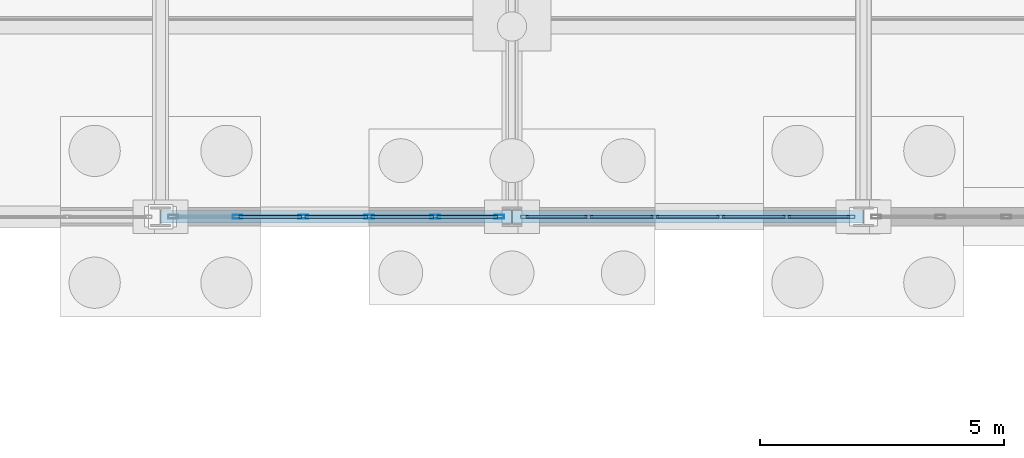
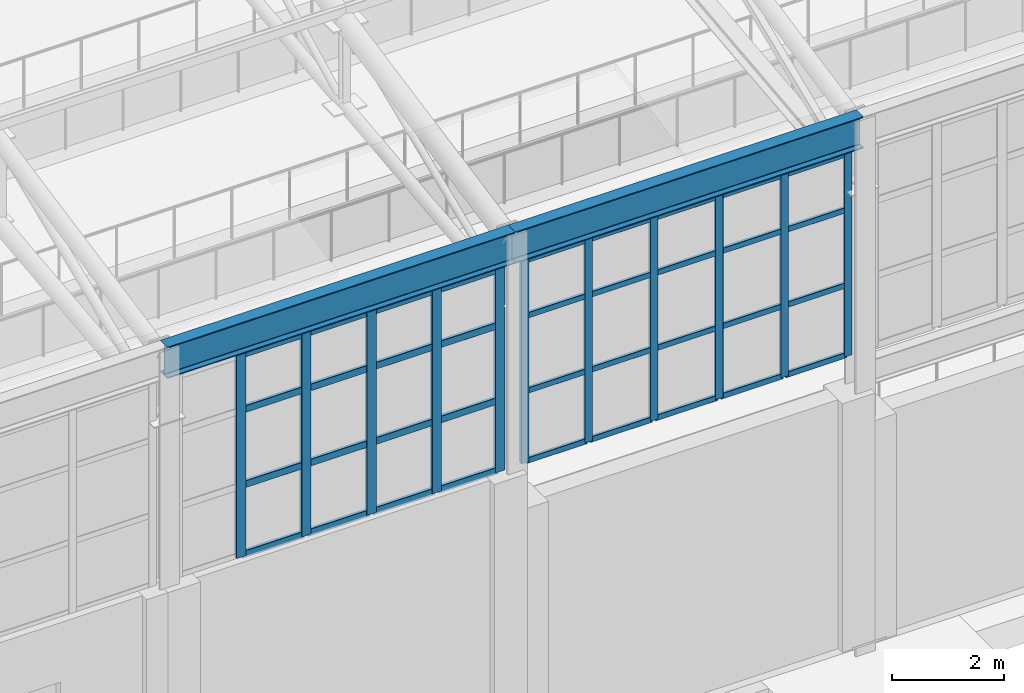
# One storey, part 132 of 293: 47 members, 2 beams, 2 elements without a shape of their own.
"""IFC4 building model written with IfcOpenShell, lengths in metres."""

from ifc_helpers import new_model, si_unit, direction, frame, origin, origin_2d, place, context, subcontext, project, spatial, hollow_rectangle, i_section, extrude, material, layer, layer_set, material_profile, profile_set, type_object, element, aggregate, save


model = new_model("IFC4")

# Units and contexts
model_context = context("Model", 3, precision=1e-05, world=origin(), true_north=direction((0.0, 1.0)))
body_context = subcontext(model_context, "Body", "Model", "MODEL_VIEW")
ifc_project = project(units=[si_unit("LENGTHUNIT", "METRE"), si_unit("AREAUNIT", "SQUARE_METRE"), si_unit("VOLUMEUNIT", "CUBIC_METRE"), si_unit("PLANEANGLEUNIT", "RADIAN"), si_unit("MASSUNIT", "GRAM", prefix="KILO")], contexts=[model_context])

# Site, building, storey
site_placement = place(None, origin())
site = spatial("IfcSite", under=ifc_project, at=site_placement, CompositionType="ELEMENT")
building_placement = place(site_placement, origin())
building = spatial("IfcBuilding", under=site, at=building_placement, Name="Kemerveld Promenade Tramway Depot", CompositionType="ELEMENT")
storey_placement = place(building_placement, origin())
storey = spatial("IfcBuildingStorey", under=building, at=storey_placement, Name="L00", CompositionType="ELEMENT", Elevation=0.0)

# Beams
ifc_material_1 = material(Name="Steel S355", Category="steel")
ifc_material_profile_1 = material_profile(ifc_material_1, i_section(OverallWidth=0.25439453125, OverallDepth=0.6875, WebThickness=0.01318359375, FlangeThickness=0.02099609375, FilletRadius=0.01513671875, at=origin_2d()), Name="686x254x152 UB")
ifc_profile_set_1 = profile_set([ifc_material_profile_1], Name="Steel S355")
beam_type = type_object("IfcBeamType", Name="BM-G03", PredefinedType="BEAM", material=ifc_profile_set_1)
for number, where, z_axis, x_axis, name in (
    (1, (93.60009765625, 84.0, 11.056396484375), (1.0, 0.0, 0.0), (0.0, 1.0, 0.0), "BM-SHED-EAVE-N-14"),
    (2, (100.800048828125, 84.0, 11.056396484375), (1.0, 0.0, 0.0), (0.0, 1.0, 0.0), "BM-SHED-EAVE-N-15"),
):
    element("IfcBeam", number, at=place(storey_placement, frame(where, z_axis=z_axis, x_axis=x_axis)), inside=storey, type_object=beam_type, Name=name, PredefinedType="BEAM", context=body_context, shape_type="SweptSolid", body=[
        extrude(i_section(OverallWidth=0.25439453125, OverallDepth=0.6875, WebThickness=0.01318359375, FlangeThickness=0.02099609375, FilletRadius=0.01513671875, at=origin_2d()), origin(), (0.0, 0.0, 1.0), 7.199951171875),
    ])

# Curtain wall, members
ifc_material_2 = material(Name="Bronze anodised aluminium and solar glass", Category="aluminium")
ifc_layer_1 = layer(ifc_material_2, 0.159912109375)
ifc_layer_set_1 = layer_set([ifc_layer_1], Name="CW-SYS-13")
curtain_wall_type_1 = type_object("IfcCurtainWallType", Name="CW-SYS-13", PredefinedType="USERDEFINED", material=ifc_layer_set_1)
curtain_wall_1_placement = place(storey_placement, origin())
curtain_wall_1 = element("IfcCurtainWall", 3, at=curtain_wall_1_placement, inside=storey, type_object=curtain_wall_type_1, Name="CW-V1-S-10", ObjectType="GLAZED_CURTAIN_WALL", PredefinedType="USERDEFINED")
ifc_material_3 = material(Name="Bronze anodised aluminium", Category="aluminium")
ifc_material_profile_2 = material_profile(ifc_material_3, hollow_rectangle(XDim=0.06494140625, YDim=0.159912109375, WallThickness=0.00390625, InnerFilletRadius=0.001953125, OuterFilletRadius=0.00390625, at=origin_2d()), Name="CW-MUL-160x65")
ifc_profile_set_2 = profile_set([ifc_material_profile_2], Name="Bronze anodised aluminium")
member_type_1 = type_object("IfcMemberType", Name="CW-MUL-A", PredefinedType="MULLION", material=ifc_profile_set_2)
member_1_placement = place(storey_placement, frame((107.744384765625, 84.0, 6.199951171875), z_axis=(0.0, 0.0, 1.0), x_axis=(0.0, -1.0, 0.0)))
member_1 = element("IfcMember", 4, at=member_1_placement, type_object=member_type_1, Name="CW13 mullion 1", PredefinedType="MULLION", context=body_context, shape_type="SweptSolid", body=[
    extrude(hollow_rectangle(XDim=0.06494140625, YDim=0.159912109375, WallThickness=0.00390625, InnerFilletRadius=0.001953125, OuterFilletRadius=0.00390625, at=origin_2d()), origin(), (0.0, 0.0, 1.0), 4.449951171875),
])
member_2_placement = place(storey_placement, frame((106.426025390625, 84.0, 6.199951171875), z_axis=(0.0, 0.0, 1.0), x_axis=(0.0, -1.0, 0.0)))
member_2 = element("IfcMember", 5, at=member_2_placement, type_object=member_type_1, Name="CW13 mullion 2", PredefinedType="MULLION", context=body_context, shape_type="SweptSolid", body=[
    extrude(hollow_rectangle(XDim=0.06494140625, YDim=0.159912109375, WallThickness=0.00390625, InnerFilletRadius=0.001953125, OuterFilletRadius=0.00390625, at=origin_2d()), origin(), (0.0, 0.0, 1.0), 4.449951171875),
])
member_3_placement = place(storey_placement, frame((105.075439453125, 84.0, 6.199951171875), z_axis=(0.0, 0.0, 1.0), x_axis=(0.0, -1.0, 0.0)))
member_3 = element("IfcMember", 6, at=member_3_placement, type_object=member_type_1, Name="CW13 mullion 3", PredefinedType="MULLION", context=body_context, shape_type="SweptSolid", body=[
    extrude(hollow_rectangle(XDim=0.06494140625, YDim=0.159912109375, WallThickness=0.00390625, InnerFilletRadius=0.001953125, OuterFilletRadius=0.00390625, at=origin_2d()), origin(), (0.0, 0.0, 1.0), 4.449951171875),
])
member_4_placement = place(storey_placement, frame((103.724609375, 84.0, 6.199951171875), z_axis=(0.0, 0.0, 1.0), x_axis=(0.0, -1.0, 0.0)))
member_4 = element("IfcMember", 7, at=member_4_placement, type_object=member_type_1, Name="CW13 mullion 4", PredefinedType="MULLION", context=body_context, shape_type="SweptSolid", body=[
    extrude(hollow_rectangle(XDim=0.06494140625, YDim=0.159912109375, WallThickness=0.00390625, InnerFilletRadius=0.001953125, OuterFilletRadius=0.00390625, at=origin_2d()), origin(), (0.0, 0.0, 1.0), 4.449951171875),
])
member_5_placement = place(storey_placement, frame((102.3740234375, 84.0, 6.199951171875), z_axis=(0.0, 0.0, 1.0), x_axis=(0.0, -1.0, 0.0)))
member_5 = element("IfcMember", 8, at=member_5_placement, type_object=member_type_1, Name="CW13 mullion 5", PredefinedType="MULLION", context=body_context, shape_type="SweptSolid", body=[
    extrude(hollow_rectangle(XDim=0.06494140625, YDim=0.159912109375, WallThickness=0.00390625, InnerFilletRadius=0.001953125, OuterFilletRadius=0.00390625, at=origin_2d()), origin(), (0.0, 0.0, 1.0), 4.449951171875),
])
member_6_placement = place(storey_placement, frame((101.0556640625, 84.0, 6.199951171875), z_axis=(0.0, 0.0, 1.0), x_axis=(0.0, -1.0, 0.0)))
member_6 = element("IfcMember", 9, at=member_6_placement, type_object=member_type_1, Name="CW13 mullion 6", PredefinedType="MULLION", context=body_context, shape_type="SweptSolid", body=[
    extrude(hollow_rectangle(XDim=0.06494140625, YDim=0.159912109375, WallThickness=0.00390625, InnerFilletRadius=0.001953125, OuterFilletRadius=0.00390625, at=origin_2d()), origin(), (0.0, 0.0, 1.0), 4.449951171875),
])

ifc_layer_2 = layer(ifc_material_2, 0.199951171875)
ifc_layer_set_2 = layer_set([ifc_layer_2], Name="CW-SYS-12")
curtain_wall_type_2 = type_object("IfcCurtainWallType", Name="CW-SYS-12", PredefinedType="USERDEFINED", material=ifc_layer_set_2)
curtain_wall_2_placement = place(storey_placement, origin())
curtain_wall_2 = element("IfcCurtainWall", 10, at=curtain_wall_2_placement, inside=storey, type_object=curtain_wall_type_2, Name="CW-V1-S-09", ObjectType="GLAZED_CURTAIN_WALL", PredefinedType="USERDEFINED")
ifc_material_profile_3 = material_profile(ifc_material_3, hollow_rectangle(XDim=0.074951171875, YDim=0.199951171875, WallThickness=0.0048828125, InnerFilletRadius=0.001953125, OuterFilletRadius=0.0048828125, at=origin_2d()), Name="CW-MUL-200x75")
ifc_profile_set_3 = profile_set([ifc_material_profile_3], Name="Bronze anodised aluminium")
member_type_2 = type_object("IfcMemberType", Name="CW-MUL-B", PredefinedType="MULLION", material=ifc_profile_set_3)
member_7_placement = place(storey_placement, frame((100.539306640625, 84.0, 6.199951171875), z_axis=(0.0, 0.0, 1.0), x_axis=(0.0, -1.0, 0.0)))
member_7 = element("IfcMember", 11, at=member_7_placement, type_object=member_type_2, Name="CW12 mullion 1", PredefinedType="MULLION", context=body_context, shape_type="SweptSolid", body=[
    extrude(hollow_rectangle(XDim=0.074951171875, YDim=0.199951171875, WallThickness=0.0048828125, InnerFilletRadius=0.001953125, OuterFilletRadius=0.0048828125, at=origin_2d()), origin(), (0.0, 0.0, 1.0), 4.449951171875),
])
member_8_placement = place(storey_placement, frame((99.22607421875, 84.0, 6.199951171875), z_axis=(0.0, 0.0, 1.0), x_axis=(0.0, -1.0, 0.0)))
member_8 = element("IfcMember", 12, at=member_8_placement, type_object=member_type_2, Name="CW12 mullion 2", PredefinedType="MULLION", context=body_context, shape_type="SweptSolid", body=[
    extrude(hollow_rectangle(XDim=0.074951171875, YDim=0.199951171875, WallThickness=0.0048828125, InnerFilletRadius=0.001953125, OuterFilletRadius=0.0048828125, at=origin_2d()), origin(), (0.0, 0.0, 1.0), 4.449951171875),
])
member_9_placement = place(storey_placement, frame((97.875244140625, 84.0, 6.199951171875), z_axis=(0.0, 0.0, 1.0), x_axis=(0.0, -1.0, 0.0)))
member_9 = element("IfcMember", 13, at=member_9_placement, type_object=member_type_2, Name="CW12 mullion 3", PredefinedType="MULLION", context=body_context, shape_type="SweptSolid", body=[
    extrude(hollow_rectangle(XDim=0.074951171875, YDim=0.199951171875, WallThickness=0.0048828125, InnerFilletRadius=0.001953125, OuterFilletRadius=0.0048828125, at=origin_2d()), origin(), (0.0, 0.0, 1.0), 4.449951171875),
])
member_10_placement = place(storey_placement, frame((96.524658203125, 84.0, 6.199951171875), z_axis=(0.0, 0.0, 1.0), x_axis=(0.0, -1.0, 0.0)))
member_10 = element("IfcMember", 14, at=member_10_placement, type_object=member_type_2, Name="CW12 mullion 4", PredefinedType="MULLION", context=body_context, shape_type="SweptSolid", body=[
    extrude(hollow_rectangle(XDim=0.074951171875, YDim=0.199951171875, WallThickness=0.0048828125, InnerFilletRadius=0.001953125, OuterFilletRadius=0.0048828125, at=origin_2d()), origin(), (0.0, 0.0, 1.0), 4.449951171875),
])
member_11_placement = place(storey_placement, frame((95.173828125, 84.0, 6.199951171875), z_axis=(0.0, 0.0, 1.0), x_axis=(0.0, -1.0, 0.0)))
member_11 = element("IfcMember", 15, at=member_11_placement, type_object=member_type_2, Name="CW12 mullion 5", PredefinedType="MULLION", context=body_context, shape_type="SweptSolid", body=[
    extrude(hollow_rectangle(XDim=0.074951171875, YDim=0.199951171875, WallThickness=0.0048828125, InnerFilletRadius=0.001953125, OuterFilletRadius=0.0048828125, at=origin_2d()), origin(), (0.0, 0.0, 1.0), 4.449951171875),
])

# Member
ifc_material_profile_4 = material_profile(ifc_material_3, hollow_rectangle(XDim=0.06005859375, YDim=0.1201171875, WallThickness=0.00390625, InnerFilletRadius=0.001953125, OuterFilletRadius=0.00390625, at=origin_2d()), Name="CW-TRN-120x60")
ifc_profile_set_4 = profile_set([ifc_material_profile_4], Name="Bronze anodised aluminium")
member_type_3 = type_object("IfcMemberType", Name="CW-TRN-A", PredefinedType="USERDEFINED", material=ifc_profile_set_4)
member_12_placement = place(storey_placement, frame((107.7119140625, 84.0, 6.22998046875), z_axis=(-1.0, 0.0, 0.0), x_axis=(0.0, -1.0, 0.0)))
member_12 = element("IfcMember", 16, at=member_12_placement, type_object=member_type_3, Name="CW13 transom 1.1", ObjectType="TRANSOM", PredefinedType="USERDEFINED", context=body_context, shape_type="SweptSolid", body=[
    extrude(hollow_rectangle(XDim=0.06005859375, YDim=0.1201171875, WallThickness=0.00390625, InnerFilletRadius=0.001953125, OuterFilletRadius=0.00390625, at=origin_2d()), origin(), (0.0, 0.0, 1.0), 1.25341796875),
])

member_13_placement = place(storey_placement, frame((107.7119140625, 84.0, 7.758056640625), z_axis=(-1.0, 0.0, 0.0), x_axis=(0.0, -1.0, 0.0)))
member_13 = element("IfcMember", 17, at=member_13_placement, type_object=member_type_3, Name="CW13 transom 1.2", ObjectType="TRANSOM", PredefinedType="USERDEFINED", context=body_context, shape_type="SweptSolid", body=[
    extrude(hollow_rectangle(XDim=0.06005859375, YDim=0.1201171875, WallThickness=0.00390625, InnerFilletRadius=0.001953125, OuterFilletRadius=0.00390625, at=origin_2d()), origin(), (0.0, 0.0, 1.0), 1.25341796875),
])

member_14_placement = place(storey_placement, frame((107.7119140625, 84.0, 9.404052734375), z_axis=(-1.0, 0.0, 0.0), x_axis=(0.0, -1.0, 0.0)))
member_14 = element("IfcMember", 18, at=member_14_placement, type_object=member_type_3, Name="CW13 transom 1.3", ObjectType="TRANSOM", PredefinedType="USERDEFINED", context=body_context, shape_type="SweptSolid", body=[
    extrude(hollow_rectangle(XDim=0.06005859375, YDim=0.1201171875, WallThickness=0.00390625, InnerFilletRadius=0.001953125, OuterFilletRadius=0.00390625, at=origin_2d()), origin(), (0.0, 0.0, 1.0), 1.25341796875),
])

member_15_placement = place(storey_placement, frame((107.7119140625, 84.0, 10.6201171875), z_axis=(-1.0, 0.0, 0.0), x_axis=(0.0, -1.0, 0.0)))
member_15 = element("IfcMember", 19, at=member_15_placement, type_object=member_type_3, Name="CW13 transom 1.4", ObjectType="TRANSOM", PredefinedType="USERDEFINED", context=body_context, shape_type="SweptSolid", body=[
    extrude(hollow_rectangle(XDim=0.06005859375, YDim=0.1201171875, WallThickness=0.00390625, InnerFilletRadius=0.001953125, OuterFilletRadius=0.00390625, at=origin_2d()), origin(), (0.0, 0.0, 1.0), 1.25341796875),
])

member_16_placement = place(storey_placement, frame((106.3935546875, 84.0, 6.22998046875), z_axis=(-1.0, 0.0, 0.0), x_axis=(0.0, -1.0, 0.0)))
member_16 = element("IfcMember", 20, at=member_16_placement, type_object=member_type_3, Name="CW13 transom 2.1", ObjectType="TRANSOM", PredefinedType="USERDEFINED", context=body_context, shape_type="SweptSolid", body=[
    extrude(hollow_rectangle(XDim=0.06005859375, YDim=0.1201171875, WallThickness=0.00390625, InnerFilletRadius=0.001953125, OuterFilletRadius=0.00390625, at=origin_2d()), origin(), (0.0, 0.0, 1.0), 1.28564453125),
])

member_17_placement = place(storey_placement, frame((106.3935546875, 84.0, 7.758056640625), z_axis=(-1.0, 0.0, 0.0), x_axis=(0.0, -1.0, 0.0)))
member_17 = element("IfcMember", 21, at=member_17_placement, type_object=member_type_3, Name="CW13 transom 2.2", ObjectType="TRANSOM", PredefinedType="USERDEFINED", context=body_context, shape_type="SweptSolid", body=[
    extrude(hollow_rectangle(XDim=0.06005859375, YDim=0.1201171875, WallThickness=0.00390625, InnerFilletRadius=0.001953125, OuterFilletRadius=0.00390625, at=origin_2d()), origin(), (0.0, 0.0, 1.0), 1.28564453125),
])

member_18_placement = place(storey_placement, frame((106.3935546875, 84.0, 9.404052734375), z_axis=(-1.0, 0.0, 0.0), x_axis=(0.0, -1.0, 0.0)))
member_18 = element("IfcMember", 22, at=member_18_placement, type_object=member_type_3, Name="CW13 transom 2.3", ObjectType="TRANSOM", PredefinedType="USERDEFINED", context=body_context, shape_type="SweptSolid", body=[
    extrude(hollow_rectangle(XDim=0.06005859375, YDim=0.1201171875, WallThickness=0.00390625, InnerFilletRadius=0.001953125, OuterFilletRadius=0.00390625, at=origin_2d()), origin(), (0.0, 0.0, 1.0), 1.28564453125),
])

member_19_placement = place(storey_placement, frame((106.3935546875, 84.0, 10.6201171875), z_axis=(-1.0, 0.0, 0.0), x_axis=(0.0, -1.0, 0.0)))
member_19 = element("IfcMember", 23, at=member_19_placement, type_object=member_type_3, Name="CW13 transom 2.4", ObjectType="TRANSOM", PredefinedType="USERDEFINED", context=body_context, shape_type="SweptSolid", body=[
    extrude(hollow_rectangle(XDim=0.06005859375, YDim=0.1201171875, WallThickness=0.00390625, InnerFilletRadius=0.001953125, OuterFilletRadius=0.00390625, at=origin_2d()), origin(), (0.0, 0.0, 1.0), 1.28564453125),
])

member_20_placement = place(storey_placement, frame((105.04296875, 84.0, 6.22998046875), z_axis=(-1.0, 0.0, 0.0), x_axis=(0.0, -1.0, 0.0)))
member_20 = element("IfcMember", 24, at=member_20_placement, type_object=member_type_3, Name="CW13 transom 3.1", ObjectType="TRANSOM", PredefinedType="USERDEFINED", context=body_context, shape_type="SweptSolid", body=[
    extrude(hollow_rectangle(XDim=0.06005859375, YDim=0.1201171875, WallThickness=0.00390625, InnerFilletRadius=0.001953125, OuterFilletRadius=0.00390625, at=origin_2d()), origin(), (0.0, 0.0, 1.0), 1.285888671875),
])

member_21_placement = place(storey_placement, frame((105.04296875, 84.0, 7.758056640625), z_axis=(-1.0, 0.0, 0.0), x_axis=(0.0, -1.0, 0.0)))
member_21 = element("IfcMember", 25, at=member_21_placement, type_object=member_type_3, Name="CW13 transom 3.2", ObjectType="TRANSOM", PredefinedType="USERDEFINED", context=body_context, shape_type="SweptSolid", body=[
    extrude(hollow_rectangle(XDim=0.06005859375, YDim=0.1201171875, WallThickness=0.00390625, InnerFilletRadius=0.001953125, OuterFilletRadius=0.00390625, at=origin_2d()), origin(), (0.0, 0.0, 1.0), 1.285888671875),
])

member_22_placement = place(storey_placement, frame((105.04296875, 84.0, 9.404052734375), z_axis=(-1.0, 0.0, 0.0), x_axis=(0.0, -1.0, 0.0)))
member_22 = element("IfcMember", 26, at=member_22_placement, type_object=member_type_3, Name="CW13 transom 3.3", ObjectType="TRANSOM", PredefinedType="USERDEFINED", context=body_context, shape_type="SweptSolid", body=[
    extrude(hollow_rectangle(XDim=0.06005859375, YDim=0.1201171875, WallThickness=0.00390625, InnerFilletRadius=0.001953125, OuterFilletRadius=0.00390625, at=origin_2d()), origin(), (0.0, 0.0, 1.0), 1.285888671875),
])

member_23_placement = place(storey_placement, frame((105.04296875, 84.0, 10.6201171875), z_axis=(-1.0, 0.0, 0.0), x_axis=(0.0, -1.0, 0.0)))
member_23 = element("IfcMember", 27, at=member_23_placement, type_object=member_type_3, Name="CW13 transom 3.4", ObjectType="TRANSOM", PredefinedType="USERDEFINED", context=body_context, shape_type="SweptSolid", body=[
    extrude(hollow_rectangle(XDim=0.06005859375, YDim=0.1201171875, WallThickness=0.00390625, InnerFilletRadius=0.001953125, OuterFilletRadius=0.00390625, at=origin_2d()), origin(), (0.0, 0.0, 1.0), 1.285888671875),
])

member_24_placement = place(storey_placement, frame((103.692138671875, 84.0, 6.22998046875), z_axis=(-1.0, 0.0, 0.0), x_axis=(0.0, -1.0, 0.0)))
member_24 = element("IfcMember", 28, at=member_24_placement, type_object=member_type_3, Name="CW13 transom 4.1", ObjectType="TRANSOM", PredefinedType="USERDEFINED", context=body_context, shape_type="SweptSolid", body=[
    extrude(hollow_rectangle(XDim=0.06005859375, YDim=0.1201171875, WallThickness=0.00390625, InnerFilletRadius=0.001953125, OuterFilletRadius=0.00390625, at=origin_2d()), origin(), (0.0, 0.0, 1.0), 1.28564453125),
])

member_25_placement = place(storey_placement, frame((103.692138671875, 84.0, 7.758056640625), z_axis=(-1.0, 0.0, 0.0), x_axis=(0.0, -1.0, 0.0)))
member_25 = element("IfcMember", 29, at=member_25_placement, type_object=member_type_3, Name="CW13 transom 4.2", ObjectType="TRANSOM", PredefinedType="USERDEFINED", context=body_context, shape_type="SweptSolid", body=[
    extrude(hollow_rectangle(XDim=0.06005859375, YDim=0.1201171875, WallThickness=0.00390625, InnerFilletRadius=0.001953125, OuterFilletRadius=0.00390625, at=origin_2d()), origin(), (0.0, 0.0, 1.0), 1.28564453125),
])

member_26_placement = place(storey_placement, frame((103.692138671875, 84.0, 9.404052734375), z_axis=(-1.0, 0.0, 0.0), x_axis=(0.0, -1.0, 0.0)))
member_26 = element("IfcMember", 30, at=member_26_placement, type_object=member_type_3, Name="CW13 transom 4.3", ObjectType="TRANSOM", PredefinedType="USERDEFINED", context=body_context, shape_type="SweptSolid", body=[
    extrude(hollow_rectangle(XDim=0.06005859375, YDim=0.1201171875, WallThickness=0.00390625, InnerFilletRadius=0.001953125, OuterFilletRadius=0.00390625, at=origin_2d()), origin(), (0.0, 0.0, 1.0), 1.28564453125),
])

member_27_placement = place(storey_placement, frame((103.692138671875, 84.0, 10.6201171875), z_axis=(-1.0, 0.0, 0.0), x_axis=(0.0, -1.0, 0.0)))
member_27 = element("IfcMember", 31, at=member_27_placement, type_object=member_type_3, Name="CW13 transom 4.4", ObjectType="TRANSOM", PredefinedType="USERDEFINED", context=body_context, shape_type="SweptSolid", body=[
    extrude(hollow_rectangle(XDim=0.06005859375, YDim=0.1201171875, WallThickness=0.00390625, InnerFilletRadius=0.001953125, OuterFilletRadius=0.00390625, at=origin_2d()), origin(), (0.0, 0.0, 1.0), 1.28564453125),
])

member_28_placement = place(storey_placement, frame((102.34130859375, 84.0, 6.22998046875), z_axis=(-1.0, 0.0, 0.0), x_axis=(0.0, -1.0, 0.0)))
member_28 = element("IfcMember", 32, at=member_28_placement, type_object=member_type_3, Name="CW13 transom 5.1", ObjectType="TRANSOM", PredefinedType="USERDEFINED", context=body_context, shape_type="SweptSolid", body=[
    extrude(hollow_rectangle(XDim=0.06005859375, YDim=0.1201171875, WallThickness=0.00390625, InnerFilletRadius=0.001953125, OuterFilletRadius=0.00390625, at=origin_2d()), origin(), (0.0, 0.0, 1.0), 1.253173828125),
])

member_29_placement = place(storey_placement, frame((102.34130859375, 84.0, 7.758056640625), z_axis=(-1.0, 0.0, 0.0), x_axis=(0.0, -1.0, 0.0)))
member_29 = element("IfcMember", 33, at=member_29_placement, type_object=member_type_3, Name="CW13 transom 5.2", ObjectType="TRANSOM", PredefinedType="USERDEFINED", context=body_context, shape_type="SweptSolid", body=[
    extrude(hollow_rectangle(XDim=0.06005859375, YDim=0.1201171875, WallThickness=0.00390625, InnerFilletRadius=0.001953125, OuterFilletRadius=0.00390625, at=origin_2d()), origin(), (0.0, 0.0, 1.0), 1.253173828125),
])

member_30_placement = place(storey_placement, frame((102.34130859375, 84.0, 9.404052734375), z_axis=(-1.0, 0.0, 0.0), x_axis=(0.0, -1.0, 0.0)))
member_30 = element("IfcMember", 34, at=member_30_placement, type_object=member_type_3, Name="CW13 transom 5.3", ObjectType="TRANSOM", PredefinedType="USERDEFINED", context=body_context, shape_type="SweptSolid", body=[
    extrude(hollow_rectangle(XDim=0.06005859375, YDim=0.1201171875, WallThickness=0.00390625, InnerFilletRadius=0.001953125, OuterFilletRadius=0.00390625, at=origin_2d()), origin(), (0.0, 0.0, 1.0), 1.253173828125),
])

member_31_placement = place(storey_placement, frame((102.34130859375, 84.0, 10.6201171875), z_axis=(-1.0, 0.0, 0.0), x_axis=(0.0, -1.0, 0.0)))
member_31 = element("IfcMember", 35, at=member_31_placement, type_object=member_type_3, Name="CW13 transom 5.4", ObjectType="TRANSOM", PredefinedType="USERDEFINED", context=body_context, shape_type="SweptSolid", body=[
    extrude(hollow_rectangle(XDim=0.06005859375, YDim=0.1201171875, WallThickness=0.00390625, InnerFilletRadius=0.001953125, OuterFilletRadius=0.00390625, at=origin_2d()), origin(), (0.0, 0.0, 1.0), 1.253173828125),
])

aggregate(curtain_wall_1, [member_1, member_2, member_3, member_4, member_5, member_6, member_12, member_13, member_14, member_15, member_16, member_17, member_18, member_19, member_20, member_21, member_22, member_23, member_24, member_25, member_26, member_27, member_28, member_29, member_30, member_31])

ifc_material_profile_5 = material_profile(ifc_material_3, hollow_rectangle(XDim=0.06494140625, YDim=0.14990234375, WallThickness=0.00439453125, InnerFilletRadius=0.001953125, OuterFilletRadius=0.00439453125, at=origin_2d()), Name="CW-TRN-150x65")
ifc_profile_set_5 = profile_set([ifc_material_profile_5], Name="Bronze anodised aluminium")
member_type_4 = type_object("IfcMemberType", Name="CW-TRN-B", PredefinedType="USERDEFINED", material=ifc_profile_set_5)
member_32_placement = place(storey_placement, frame((100.501708984375, 84.0, 6.232421875), z_axis=(-1.0, 0.0, 0.0), x_axis=(0.0, -1.0, 0.0)))
member_32 = element("IfcMember", 36, at=member_32_placement, type_object=member_type_4, Name="CW12 transom 1.1", ObjectType="TRANSOM", PredefinedType="USERDEFINED", context=body_context, shape_type="SweptSolid", body=[
    extrude(hollow_rectangle(XDim=0.06494140625, YDim=0.14990234375, WallThickness=0.00439453125, InnerFilletRadius=0.001953125, OuterFilletRadius=0.00439453125, at=origin_2d()), origin(), (0.0, 0.0, 1.0), 1.238037109375),
])

member_33_placement = place(storey_placement, frame((100.501708984375, 84.0, 7.758056640625), z_axis=(-1.0, 0.0, 0.0), x_axis=(0.0, -1.0, 0.0)))
member_33 = element("IfcMember", 37, at=member_33_placement, type_object=member_type_4, Name="CW12 transom 1.2", ObjectType="TRANSOM", PredefinedType="USERDEFINED", context=body_context, shape_type="SweptSolid", body=[
    extrude(hollow_rectangle(XDim=0.06494140625, YDim=0.14990234375, WallThickness=0.00439453125, InnerFilletRadius=0.001953125, OuterFilletRadius=0.00439453125, at=origin_2d()), origin(), (0.0, 0.0, 1.0), 1.238037109375),
])

member_34_placement = place(storey_placement, frame((100.501708984375, 84.0, 9.404052734375), z_axis=(-1.0, 0.0, 0.0), x_axis=(0.0, -1.0, 0.0)))
member_34 = element("IfcMember", 38, at=member_34_placement, type_object=member_type_4, Name="CW12 transom 1.3", ObjectType="TRANSOM", PredefinedType="USERDEFINED", context=body_context, shape_type="SweptSolid", body=[
    extrude(hollow_rectangle(XDim=0.06494140625, YDim=0.14990234375, WallThickness=0.00439453125, InnerFilletRadius=0.001953125, OuterFilletRadius=0.00439453125, at=origin_2d()), origin(), (0.0, 0.0, 1.0), 1.238037109375),
])

member_35_placement = place(storey_placement, frame((100.501708984375, 84.0, 10.617431640625), z_axis=(-1.0, 0.0, 0.0), x_axis=(0.0, -1.0, 0.0)))
member_35 = element("IfcMember", 39, at=member_35_placement, type_object=member_type_4, Name="CW12 transom 1.4", ObjectType="TRANSOM", PredefinedType="USERDEFINED", context=body_context, shape_type="SweptSolid", body=[
    extrude(hollow_rectangle(XDim=0.06494140625, YDim=0.14990234375, WallThickness=0.00439453125, InnerFilletRadius=0.001953125, OuterFilletRadius=0.00439453125, at=origin_2d()), origin(), (0.0, 0.0, 1.0), 1.238037109375),
])

member_36_placement = place(storey_placement, frame((99.1884765625, 84.0, 6.232421875), z_axis=(-1.0, 0.0, 0.0), x_axis=(0.0, -1.0, 0.0)))
member_36 = element("IfcMember", 40, at=member_36_placement, type_object=member_type_4, Name="CW12 transom 2.1", ObjectType="TRANSOM", PredefinedType="USERDEFINED", context=body_context, shape_type="SweptSolid", body=[
    extrude(hollow_rectangle(XDim=0.06494140625, YDim=0.14990234375, WallThickness=0.00439453125, InnerFilletRadius=0.001953125, OuterFilletRadius=0.00439453125, at=origin_2d()), origin(), (0.0, 0.0, 1.0), 1.275634765625),
])

member_37_placement = place(storey_placement, frame((99.1884765625, 84.0, 7.758056640625), z_axis=(-1.0, 0.0, 0.0), x_axis=(0.0, -1.0, 0.0)))
member_37 = element("IfcMember", 41, at=member_37_placement, type_object=member_type_4, Name="CW12 transom 2.2", ObjectType="TRANSOM", PredefinedType="USERDEFINED", context=body_context, shape_type="SweptSolid", body=[
    extrude(hollow_rectangle(XDim=0.06494140625, YDim=0.14990234375, WallThickness=0.00439453125, InnerFilletRadius=0.001953125, OuterFilletRadius=0.00439453125, at=origin_2d()), origin(), (0.0, 0.0, 1.0), 1.275634765625),
])

member_38_placement = place(storey_placement, frame((99.1884765625, 84.0, 9.404052734375), z_axis=(-1.0, 0.0, 0.0), x_axis=(0.0, -1.0, 0.0)))
member_38 = element("IfcMember", 42, at=member_38_placement, type_object=member_type_4, Name="CW12 transom 2.3", ObjectType="TRANSOM", PredefinedType="USERDEFINED", context=body_context, shape_type="SweptSolid", body=[
    extrude(hollow_rectangle(XDim=0.06494140625, YDim=0.14990234375, WallThickness=0.00439453125, InnerFilletRadius=0.001953125, OuterFilletRadius=0.00439453125, at=origin_2d()), origin(), (0.0, 0.0, 1.0), 1.275634765625),
])

member_39_placement = place(storey_placement, frame((99.1884765625, 84.0, 10.617431640625), z_axis=(-1.0, 0.0, 0.0), x_axis=(0.0, -1.0, 0.0)))
member_39 = element("IfcMember", 43, at=member_39_placement, type_object=member_type_4, Name="CW12 transom 2.4", ObjectType="TRANSOM", PredefinedType="USERDEFINED", context=body_context, shape_type="SweptSolid", body=[
    extrude(hollow_rectangle(XDim=0.06494140625, YDim=0.14990234375, WallThickness=0.00439453125, InnerFilletRadius=0.001953125, OuterFilletRadius=0.00439453125, at=origin_2d()), origin(), (0.0, 0.0, 1.0), 1.275634765625),
])

member_40_placement = place(storey_placement, frame((97.837890625, 84.0, 6.232421875), z_axis=(-1.0, 0.0, 0.0), x_axis=(0.0, -1.0, 0.0)))
member_40 = element("IfcMember", 44, at=member_40_placement, type_object=member_type_4, Name="CW12 transom 3.1", ObjectType="TRANSOM", PredefinedType="USERDEFINED", context=body_context, shape_type="SweptSolid", body=[
    extrude(hollow_rectangle(XDim=0.06494140625, YDim=0.14990234375, WallThickness=0.00439453125, InnerFilletRadius=0.001953125, OuterFilletRadius=0.00439453125, at=origin_2d()), origin(), (0.0, 0.0, 1.0), 1.275634765625),
])

member_41_placement = place(storey_placement, frame((97.837890625, 84.0, 7.758056640625), z_axis=(-1.0, 0.0, 0.0), x_axis=(0.0, -1.0, 0.0)))
member_41 = element("IfcMember", 45, at=member_41_placement, type_object=member_type_4, Name="CW12 transom 3.2", ObjectType="TRANSOM", PredefinedType="USERDEFINED", context=body_context, shape_type="SweptSolid", body=[
    extrude(hollow_rectangle(XDim=0.06494140625, YDim=0.14990234375, WallThickness=0.00439453125, InnerFilletRadius=0.001953125, OuterFilletRadius=0.00439453125, at=origin_2d()), origin(), (0.0, 0.0, 1.0), 1.275634765625),
])

member_42_placement = place(storey_placement, frame((97.837890625, 84.0, 9.404052734375), z_axis=(-1.0, 0.0, 0.0), x_axis=(0.0, -1.0, 0.0)))
member_42 = element("IfcMember", 46, at=member_42_placement, type_object=member_type_4, Name="CW12 transom 3.3", ObjectType="TRANSOM", PredefinedType="USERDEFINED", context=body_context, shape_type="SweptSolid", body=[
    extrude(hollow_rectangle(XDim=0.06494140625, YDim=0.14990234375, WallThickness=0.00439453125, InnerFilletRadius=0.001953125, OuterFilletRadius=0.00439453125, at=origin_2d()), origin(), (0.0, 0.0, 1.0), 1.275634765625),
])

member_43_placement = place(storey_placement, frame((97.837890625, 84.0, 10.617431640625), z_axis=(-1.0, 0.0, 0.0), x_axis=(0.0, -1.0, 0.0)))
member_43 = element("IfcMember", 47, at=member_43_placement, type_object=member_type_4, Name="CW12 transom 3.4", ObjectType="TRANSOM", PredefinedType="USERDEFINED", context=body_context, shape_type="SweptSolid", body=[
    extrude(hollow_rectangle(XDim=0.06494140625, YDim=0.14990234375, WallThickness=0.00439453125, InnerFilletRadius=0.001953125, OuterFilletRadius=0.00439453125, at=origin_2d()), origin(), (0.0, 0.0, 1.0), 1.275634765625),
])

member_44_placement = place(storey_placement, frame((96.487060546875, 84.0, 6.232421875), z_axis=(-1.0, 0.0, 0.0), x_axis=(0.0, -1.0, 0.0)))
member_44 = element("IfcMember", 48, at=member_44_placement, type_object=member_type_4, Name="CW12 transom 4.1", ObjectType="TRANSOM", PredefinedType="USERDEFINED", context=body_context, shape_type="SweptSolid", body=[
    extrude(hollow_rectangle(XDim=0.06494140625, YDim=0.14990234375, WallThickness=0.00439453125, InnerFilletRadius=0.001953125, OuterFilletRadius=0.00439453125, at=origin_2d()), origin(), (0.0, 0.0, 1.0), 1.275634765625),
])

member_45_placement = place(storey_placement, frame((96.487060546875, 84.0, 7.758056640625), z_axis=(-1.0, 0.0, 0.0), x_axis=(0.0, -1.0, 0.0)))
member_45 = element("IfcMember", 49, at=member_45_placement, type_object=member_type_4, Name="CW12 transom 4.2", ObjectType="TRANSOM", PredefinedType="USERDEFINED", context=body_context, shape_type="SweptSolid", body=[
    extrude(hollow_rectangle(XDim=0.06494140625, YDim=0.14990234375, WallThickness=0.00439453125, InnerFilletRadius=0.001953125, OuterFilletRadius=0.00439453125, at=origin_2d()), origin(), (0.0, 0.0, 1.0), 1.275634765625),
])

member_46_placement = place(storey_placement, frame((96.487060546875, 84.0, 9.404052734375), z_axis=(-1.0, 0.0, 0.0), x_axis=(0.0, -1.0, 0.0)))
member_46 = element("IfcMember", 50, at=member_46_placement, type_object=member_type_4, Name="CW12 transom 4.3", ObjectType="TRANSOM", PredefinedType="USERDEFINED", context=body_context, shape_type="SweptSolid", body=[
    extrude(hollow_rectangle(XDim=0.06494140625, YDim=0.14990234375, WallThickness=0.00439453125, InnerFilletRadius=0.001953125, OuterFilletRadius=0.00439453125, at=origin_2d()), origin(), (0.0, 0.0, 1.0), 1.275634765625),
])

member_47_placement = place(storey_placement, frame((96.487060546875, 84.0, 10.617431640625), z_axis=(-1.0, 0.0, 0.0), x_axis=(0.0, -1.0, 0.0)))
member_47 = element("IfcMember", 51, at=member_47_placement, type_object=member_type_4, Name="CW12 transom 4.4", ObjectType="TRANSOM", PredefinedType="USERDEFINED", context=body_context, shape_type="SweptSolid", body=[
    extrude(hollow_rectangle(XDim=0.06494140625, YDim=0.14990234375, WallThickness=0.00439453125, InnerFilletRadius=0.001953125, OuterFilletRadius=0.00439453125, at=origin_2d()), origin(), (0.0, 0.0, 1.0), 1.275634765625),
])

aggregate(curtain_wall_2, [member_7, member_8, member_9, member_10, member_11, member_32, member_33, member_34, member_35, member_36, member_37, member_38, member_39, member_40, member_41, member_42, member_43, member_44, member_45, member_46, member_47])

save(model, "model.ifc")
